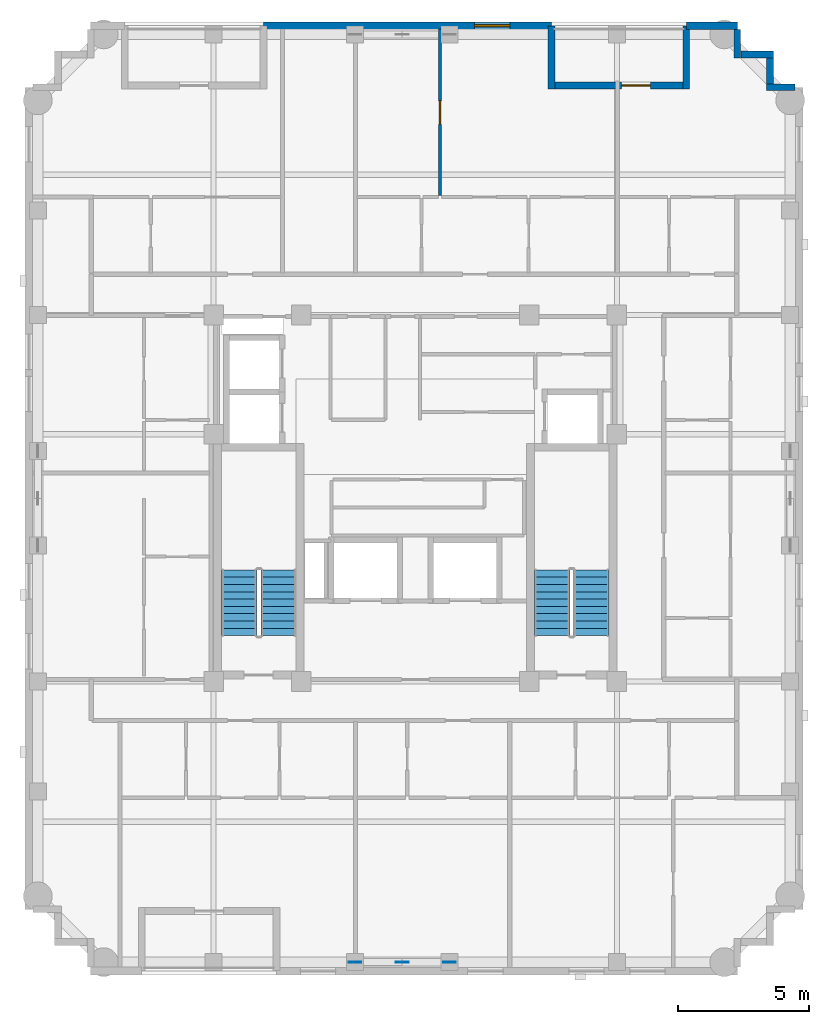
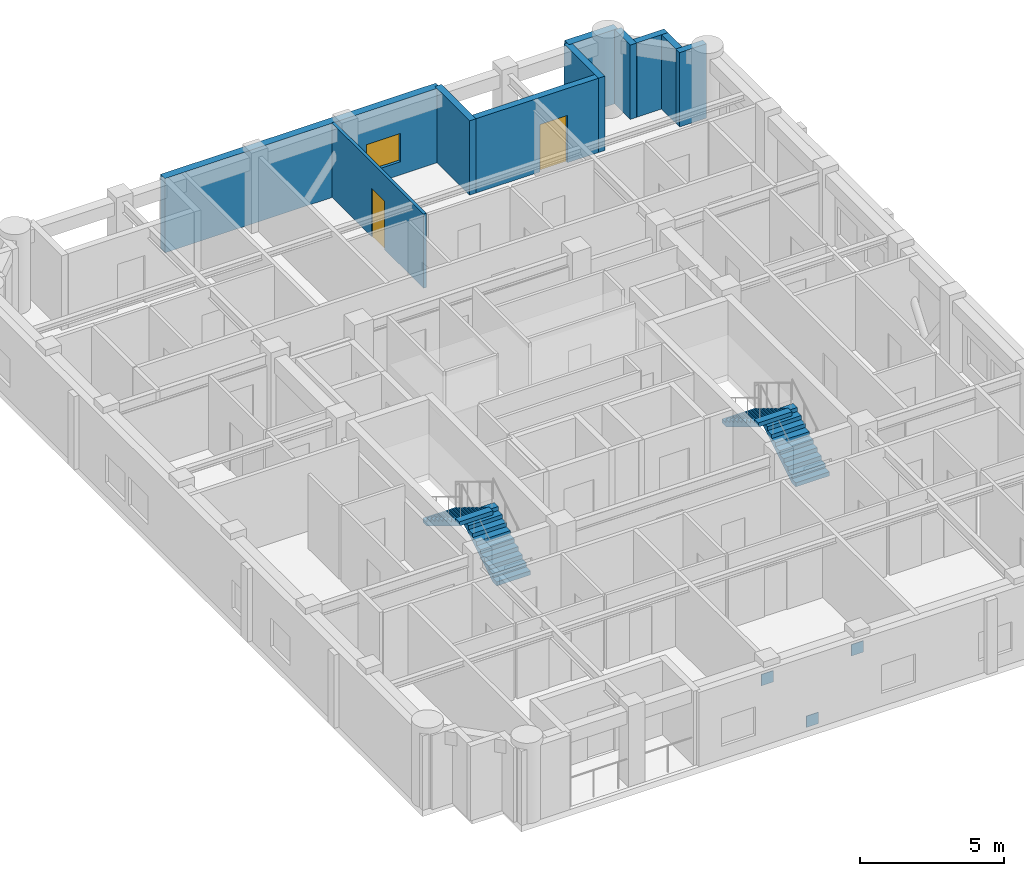
# One storey, part 7 of 10: 10 walls, 4 stair flights, 3 discrete accessories, 2 doors, 1 window, 3 openings, 2 elements without a shape of their own.
"""IFC4 building model written with IfcOpenShell, lengths in metres."""

from ifc_helpers import new_model, si_unit, derived_unit, direction, frame, frame_2d, origin, origin_2d, place, context, subcontext, project, spatial, polyline, rectangle, outline, extrude, material, layer, layer_set, type_object, element, fill, aggregate, save


model = new_model("IFC4")

# Units and contexts
model_context = context("Model", 3, precision=1e-05, world=origin(), true_north=direction((0.0, 1.0)))
body_context = subcontext(model_context, "Body", "Model", "MODEL_VIEW")
ifc_project = project(units=[si_unit("LENGTHUNIT", "METRE"), si_unit("AREAUNIT", "SQUARE_METRE"), si_unit("VOLUMEUNIT", "CUBIC_METRE"), si_unit("PLANEANGLEUNIT", "RADIAN"), si_unit("MASSUNIT", "GRAM", prefix="KILO"), derived_unit("THERMALTRANSMITTANCEUNIT", [(si_unit("MASSUNIT", "GRAM", prefix="KILO"), 1), (si_unit("TIMEUNIT", "SECOND"), -3), (si_unit("THERMODYNAMICTEMPERATUREUNIT", "KELVIN"), -1)])], contexts=[model_context])

# Site, building, storey
site_placement = place(None, origin())
site = spatial("IfcSite", under=ifc_project, at=site_placement, CompositionType="ELEMENT")
building_placement = place(site_placement, origin())
building = spatial("IfcBuilding", under=site, at=building_placement, Name="Korrvale Station Residences", CompositionType="ELEMENT")
storey_placement = place(building_placement, frame((0.0, 0.0, 237.699951171875)))
storey = spatial("IfcBuildingStorey", under=building, at=storey_placement, Name="L69", CompositionType="ELEMENT", Elevation=237.699951171875)

# Wall
ifc_material_1 = material(Name="Precast concrete C45/55", Category="concrete")
ifc_layer_1 = layer(ifc_material_1, 0.260009765625, Name="Precast concrete C45/55")
ifc_layer_set_1 = layer_set([ifc_layer_1], Name="Precast concrete C45/55")
wall_type_1 = type_object("IfcWallType", Name="WAL-EXT-LOG260", PredefinedType="SOLIDWALL", material=ifc_layer_set_1)
wall_1_placement = place(storey_placement, frame((30.699951171875, 40.0400390625, 0.0), z_axis=(0.0, 0.0, 1.0), x_axis=(0.0, -1.0, 0.0)))
element("IfcWall", 1, at=wall_1_placement, inside=storey, type_object=wall_type_1, Name="L69 Recessed Loggia Wall BAL-L69-N1-L", PredefinedType="SOLIDWALL", context=body_context, shape_type="SweptSolid", body=[
    extrude(rectangle(XDim=2.400146484375, YDim=0.260009765625, at=frame_2d((1.2001953125, 0.0))), origin(), (0.0, 0.0, 1.0), 3.14013671875),
])

# Wall, opening, door
wall_2_placement = place(storey_placement, frame((30.833984375, 37.77001953125, 0.0), z_axis=(0.0, 0.0, 1.0), x_axis=(1.0, 0.0, 0.0)))
wall_2 = element("IfcWall", 2, at=wall_2_placement, inside=storey, type_object=wall_type_1, Name="L69 Recessed Loggia Wall BAL-L69-N1-B", PredefinedType="SOLIDWALL", context=body_context, shape_type="SweptSolid", body=[
    extrude(rectangle(XDim=4.882080078125, YDim=0.260009765625, at=frame_2d((2.44091796875, 0.0))), origin(), (0.0, 0.0, 1.0), 3.14013671875),
])
opening_1_placement = place(wall_2_placement, frame((2.5458984375, 0.0, 0.0)))
opening_1 = element("IfcOpeningElement", 3, at=opening_1_placement, cuts=wall_2, Name="Opening BD-01", PredefinedType="OPENING", context=body_context, shape_type="SweptSolid", body=[
    extrude(rectangle(XDim=1.10009765625, YDim=2.0, at=frame_2d((0.550048828125, 1.0))), frame((0.0, 0.14013671875, 0.0), z_axis=(0.0, -1.0, 0.0), x_axis=(1.0, 0.0, 0.0)), (0.0, 0.0, 1.0), 0.280029296875),
])
ifc_material_2 = material(Name="Exterior thermally broken aluminium glazed balcony door", Category="aluminium")
door_type_1 = type_object("IfcDoorType", Name="DR-EXT-BAL", OperationType="NOTDEFINED", PredefinedType="DOOR", material=ifc_material_2)
door_1_placement = place(opening_1_placement, origin())
door_1 = element("IfcDoor", 4, at=door_1_placement, inside=storey, type_object=door_type_1, Name="L69 Loggia Balcony Door BAL-L69-N1", OperationType="SINGLE_SWING_RIGHT", OverallHeight=2.0, OverallWidth=1.10009765625, PredefinedType="DOOR", context=body_context, shape_type="SweptSolid", body=[
    extrude(rectangle(XDim=1.10009765625, YDim=2.0, at=frame_2d((0.550048828125, 1.0))), frame((0.0, 0.02490234375, 0.0), z_axis=(0.0, -1.0, 0.0), x_axis=(1.0, 0.0, 0.0)), (0.0, 0.0, 1.0), 0.050048828125),
])
fill(opening_1, door_1)

# Walls
wall_3_placement = place(storey_placement, frame((35.85009765625, 37.639892578125, 0.0), z_axis=(0.0, 0.0, 1.0), x_axis=(0.0, 1.0, 0.0)))
element("IfcWall", 5, at=wall_3_placement, inside=storey, type_object=wall_type_1, Name="L69 Recessed Loggia Wall BAL-L69-N1-R", PredefinedType="SOLIDWALL", context=body_context, shape_type="SweptSolid", body=[
    extrude(rectangle(XDim=2.400146484375, YDim=0.260009765625, at=frame_2d((1.2001953125, 0.0))), origin(), (0.0, 0.0, 1.0), 3.14013671875),
])
wall_4_placement = place(storey_placement, frame((37.800048828125, 39.89794921875, 0.0), z_axis=(0.0, 0.0, 1.0), x_axis=(0.0, -1.0, 0.0)))
element("IfcWall", 6, at=wall_4_placement, inside=storey, type_object=wall_type_1, Name="L69 Serrated Corner Precast Step NE-1", PredefinedType="SOLIDWALL", context=body_context, shape_type="SweptSolid", body=[
    extrude(rectangle(XDim=1.077880859375, YDim=0.260009765625, at=frame_2d((0.5390625, 0.0))), origin(), (0.0, 0.0, 1.0), 3.14013671875),
])
wall_5_placement = place(storey_placement, frame((37.931884765625, 38.949951171875, 0.0), z_axis=(0.0, 0.0, 1.0), x_axis=(1.0, 0.0, 0.0)))
element("IfcWall", 7, at=wall_5_placement, inside=storey, type_object=wall_type_1, Name="L69 Serrated Corner Precast Step NE-2", PredefinedType="SOLIDWALL", context=body_context, shape_type="SweptSolid", body=[
    extrude(rectangle(XDim=1.248046875, YDim=0.260009765625, at=frame_2d((0.6240234375, 0.0))), origin(), (0.0, 0.0, 1.0), 3.14013671875),
])
wall_6_placement = place(storey_placement, frame((39.050048828125, 38.818115234375, 0.0), z_axis=(0.0, 0.0, 1.0), x_axis=(0.0, -1.0, 0.0)))
element("IfcWall", 8, at=wall_6_placement, inside=storey, type_object=wall_type_1, Name="L69 Serrated Corner Precast Step NE-3", PredefinedType="SOLIDWALL", context=body_context, shape_type="SweptSolid", body=[
    extrude(rectangle(XDim=0.986083984375, YDim=0.260009765625, at=frame_2d((0.4931640625, 0.0))), origin(), (0.0, 0.0, 1.0), 3.14013671875),
])
wall_7_placement = place(storey_placement, frame((38.919921875, 37.699951171875, 0.0), z_axis=(0.0, 0.0, 1.0), x_axis=(1.0, 0.0, 0.0)))
element("IfcWall", 9, at=wall_7_placement, inside=storey, type_object=wall_type_1, Name="L69 Serrated Corner Precast Step NE-4", PredefinedType="SOLIDWALL", context=body_context, shape_type="SweptSolid", body=[
    extrude(rectangle(XDim=1.078125, YDim=0.260009765625, at=frame_2d((0.5390625, 0.0))), origin(), (0.0, 0.0, 1.0), 3.14013671875),
])

# Wall, opening, window
ifc_layer_2 = layer(ifc_material_1, 0.300048828125, Name="Precast concrete C45/55")
ifc_layer_set_2 = layer_set([ifc_layer_2], Name="Precast concrete C45/55")
wall_type_2 = type_object("IfcWallType", Name="WAL-EXT-PC300", PredefinedType="SOLIDWALL", material=ifc_layer_set_2)
wall_8_placement = place(storey_placement, frame((19.699951171875, 40.050048828125, 0.0), z_axis=(0.0, 0.0, 1.0), x_axis=(1.0, 0.0, 0.0)))
wall_8 = element("IfcWall", 10, at=wall_8_placement, inside=storey, type_object=wall_type_2, Name="L69 North Exterior Precast Wall 2", PredefinedType="SOLIDWALL", context=body_context, shape_type="SweptSolid", body=[
    extrude(rectangle(XDim=11.0, YDim=0.300048828125, at=frame_2d((5.5, 0.0))), origin(), (0.0, 0.0, 1.0), 3.14013671875),
])
opening_2_placement = place(wall_8_placement, frame((8.06396484375, 0.0, 0.550048828125)))
opening_2 = element("IfcOpeningElement", 11, at=opening_2_placement, cuts=wall_8, Name="Opening W-10", PredefinedType="OPENING", context=body_context, shape_type="SweptSolid", body=[
    extrude(rectangle(XDim=1.35009765625, YDim=1.199951171875, at=frame_2d((0.675048828125, 0.60009765625))), frame((0.0, 0.16015625, 0.0), z_axis=(0.0, -1.0, 0.0), x_axis=(1.0, 0.0, 0.0)), (0.0, 0.0, 1.0), 0.320068359375),
])
ifc_material_3 = material(Name="Thermally broken aluminium frame with triple low-e glazing", Category="aluminium")
window_type = type_object("IfcWindowType", Name="WIN-W10", PartitioningType="SINGLE_PANEL", PredefinedType="WINDOW", material=ifc_material_3)
window_placement = place(opening_2_placement, origin())
window = element("IfcWindow", 12, at=window_placement, inside=storey, type_object=window_type, Name="L69 Punched Window 07", OverallHeight=1.199951171875, OverallWidth=1.35009765625, PartitioningType="SINGLE_PANEL", PredefinedType="WINDOW", context=body_context, shape_type="SweptSolid", body=[
    extrude(rectangle(XDim=1.35009765625, YDim=1.199951171875, at=frame_2d((0.675048828125, 0.60009765625))), frame((0.0, 0.030029296875, 0.0), z_axis=(0.0, -1.0, 0.0), x_axis=(1.0, 0.0, 0.0)), (0.0, 0.0, 1.0), 0.06005859375),
])
fill(opening_2, window)

# Wall
wall_9_placement = place(storey_placement, frame((35.85009765625, 40.050048828125, 0.0), z_axis=(0.0, 0.0, 1.0), x_axis=(1.0, 0.0, 0.0)))
element("IfcWall", 13, at=wall_9_placement, inside=storey, type_object=wall_type_2, Name="L69 North Exterior Precast Wall 3", PredefinedType="SOLIDWALL", context=body_context, shape_type="SweptSolid", body=[
    extrude(rectangle(XDim=1.949951171875, YDim=0.300048828125, at=frame_2d((0.97509765625, 0.0))), origin(), (0.0, 0.0, 1.0), 3.14013671875),
])

# Wall, opening, door
ifc_material_4 = material(Name="Acoustic steel-stud gypsum board partition", Category="steel")
ifc_layer_3 = layer(ifc_material_4, 0.1201171875, Name="Acoustic steel-stud gypsum board partition")
ifc_layer_set_3 = layer_set([ifc_layer_3], Name="Acoustic steel-stud gypsum board partition")
wall_type_3 = type_object("IfcWallType", Name="WAL-PART-125", PredefinedType="PARTITIONING", material=ifc_layer_set_3)
wall_10_placement = place(storey_placement, frame((26.43994140625, 33.570068359375, 0.0), z_axis=(0.0, 0.0, 1.0), x_axis=(0.0, 1.0, 0.0)))
wall_10 = element("IfcWall", 14, at=wall_10_placement, inside=storey, type_object=wall_type_3, Name="L69 Suite Partition U05-V34", PredefinedType="PARTITIONING", context=body_context, shape_type="SweptSolid", body=[
    extrude(rectangle(XDim=6.349853515625, YDim=0.1201171875, at=frame_2d((3.1748046875, 0.0))), origin(), (0.0, 0.0, 1.0), 3.14013671875),
])
opening_3_placement = place(wall_10_placement, frame((2.7099609375, 0.0, 0.0)))
opening_3 = element("IfcOpeningElement", 15, at=opening_3_placement, cuts=wall_10, Name="Opening DI-900", PredefinedType="OPENING", context=body_context, shape_type="SweptSolid", body=[
    extrude(rectangle(XDim=0.89990234375, YDim=2.050048828125, at=frame_2d((0.449951171875, 1.02490234375))), frame((0.0, 0.070068359375, 0.0), z_axis=(0.0, -1.0, 0.0), x_axis=(1.0, 0.0, 0.0)), (0.0, 0.0, 1.0), 0.14013671875),
])
ifc_material_5 = material(Name="Painted solid-core timber interior room door", Category="wood")
door_type_2 = type_object("IfcDoorType", Name="DR-INT-900", OperationType="NOTDEFINED", PredefinedType="DOOR", material=ifc_material_5)
door_2_placement = place(opening_3_placement, origin())
door_2 = element("IfcDoor", 16, at=door_2_placement, inside=storey, type_object=door_type_2, Name="L69 Studio Apartment L69-U05 Walk-In Wardrobe Door", OperationType="SINGLE_SWING_RIGHT", OverallHeight=2.050048828125, OverallWidth=0.89990234375, PredefinedType="DOOR", context=body_context, shape_type="SweptSolid", body=[
    extrude(rectangle(XDim=0.89990234375, YDim=2.050048828125, at=frame_2d((0.449951171875, 1.02490234375))), frame((0.0, 0.02490234375, 0.0), z_axis=(0.0, -1.0, 0.0), x_axis=(1.0, 0.0, 0.0)), (0.0, 0.0, 1.0), 0.050048828125),
])
fill(opening_3, door_2)

# Stair, stair flights
ifc_material_6 = material(Name="Concrete C50/60", Category="concrete")
stair_type = type_object("IfcStairType", Name="STR-DL-1350-20R-1700", PredefinedType="HALF_TURN_STAIR", material=ifc_material_6)
stair_1_placement = place(storey_placement, origin())
stair_1 = element("IfcStair", 17, at=stair_1_placement, inside=storey, type_object=stair_type, Name="L69 Exit Stair 1", PredefinedType="HALF_TURN_STAIR")
stair_flight_type = type_object("IfcStairFlightType", Name="FLT-DL-1350-20R-1700", PredefinedType="STRAIGHT", material=ifc_material_6)
stair_flight_1_placement = place(storey_placement, frame((20.27490234375, 16.75, 0.0), z_axis=(0.0, 0.0, 1.0), x_axis=(0.0, 1.0, 0.0)))
stair_flight_1 = element("IfcStairFlight", 18, at=stair_flight_1_placement, type_object=stair_flight_type, Name="ST-1 flight 1", NumberOfRisers=10, NumberOfTreads=9, PredefinedType="STRAIGHT", RiserHeight=0.17, TreadLength=0.28, context=body_context, shape_type="SweptSolid", body=[
    extrude(outline(polyline([(0.0, 0.0), (0.0, 0.169921875), (0.280029296875, 0.169921875), (0.280029296875, 0.340087890625), (0.56005859375, 0.340087890625), (0.56005859375, 0.510009765625), (0.840087890625, 0.510009765625), (0.840087890625, 0.679931640625), (1.1201171875, 0.679931640625), (1.1201171875, 0.85009765625), (1.39990234375, 0.85009765625), (1.39990234375, 1.02001953125), (1.679931640625, 1.02001953125), (1.679931640625, 1.18994140625), (1.9599609375, 1.18994140625), (1.9599609375, 1.360107421875), (2.239990234375, 1.360107421875), (2.239990234375, 1.530029296875), (2.52001953125, 1.530029296875), (2.52001953125, 1.699951171875), (2.52001953125, 1.354736328125), (0.288818359375, 0.0), (0.0, 0.0)])), frame((0.0, 0.675048828125, 0.0), z_axis=(0.0, -1.0, 0.0), x_axis=(1.0, 0.0, 0.0)), (0.0, 0.0, 1.0), 1.35009765625),
])
stair_flight_2_placement = place(storey_placement, frame((18.77490234375, 19.27001953125, 1.699951171875), z_axis=(0.0, 0.0, 1.0), x_axis=(0.0, -1.0, 0.0)))
stair_flight_2 = element("IfcStairFlight", 19, at=stair_flight_2_placement, type_object=stair_flight_type, Name="ST-1 flight 2", NumberOfRisers=10, NumberOfTreads=9, PredefinedType="STRAIGHT", RiserHeight=0.17, TreadLength=0.28, context=body_context, shape_type="SweptSolid", body=[
    extrude(outline(polyline([(0.0, 0.0), (0.0, 0.169921875), (0.280029296875, 0.169921875), (0.280029296875, 0.340087890625), (0.56005859375, 0.340087890625), (0.56005859375, 0.510009765625), (0.840087890625, 0.510009765625), (0.840087890625, 0.679931640625), (1.1201171875, 0.679931640625), (1.1201171875, 0.85009765625), (1.39990234375, 0.85009765625), (1.39990234375, 1.02001953125), (1.679931640625, 1.02001953125), (1.679931640625, 1.18994140625), (1.9599609375, 1.18994140625), (1.9599609375, 1.360107421875), (2.239990234375, 1.360107421875), (2.239990234375, 1.530029296875), (2.52001953125, 1.530029296875), (2.52001953125, 1.699951171875), (2.52001953125, 1.354736328125), (0.288818359375, 0.0), (0.0, 0.0)])), frame((0.0, 0.675048828125, 0.0), z_axis=(0.0, -1.0, 0.0), x_axis=(1.0, 0.0, 0.0)), (0.0, 0.0, 1.0), 1.35009765625),
])
aggregate(stair_1, [stair_flight_1, stair_flight_2])

stair_2_placement = place(storey_placement, origin())
stair_2 = element("IfcStair", 20, at=stair_2_placement, inside=storey, type_object=stair_type, Name="L69 Exit Stair 2", PredefinedType="HALF_TURN_STAIR")
stair_flight_3_placement = place(storey_placement, frame((32.22509765625, 16.75, 0.0), z_axis=(0.0, 0.0, 1.0), x_axis=(0.0, 1.0, 0.0)))
stair_flight_3 = element("IfcStairFlight", 21, at=stair_flight_3_placement, type_object=stair_flight_type, Name="ST-2 flight 1", NumberOfRisers=10, NumberOfTreads=9, PredefinedType="STRAIGHT", RiserHeight=0.17, TreadLength=0.28, context=body_context, shape_type="SweptSolid", body=[
    extrude(outline(polyline([(0.0, 0.0), (0.0, 0.169921875), (0.280029296875, 0.169921875), (0.280029296875, 0.340087890625), (0.56005859375, 0.340087890625), (0.56005859375, 0.510009765625), (0.840087890625, 0.510009765625), (0.840087890625, 0.679931640625), (1.1201171875, 0.679931640625), (1.1201171875, 0.85009765625), (1.39990234375, 0.85009765625), (1.39990234375, 1.02001953125), (1.679931640625, 1.02001953125), (1.679931640625, 1.18994140625), (1.9599609375, 1.18994140625), (1.9599609375, 1.360107421875), (2.239990234375, 1.360107421875), (2.239990234375, 1.530029296875), (2.52001953125, 1.530029296875), (2.52001953125, 1.699951171875), (2.52001953125, 1.354736328125), (0.288818359375, 0.0), (0.0, 0.0)])), frame((0.0, 0.675048828125, 0.0), z_axis=(0.0, -1.0, 0.0), x_axis=(1.0, 0.0, 0.0)), (0.0, 0.0, 1.0), 1.35009765625),
])
stair_flight_4_placement = place(storey_placement, frame((30.72509765625, 19.27001953125, 1.699951171875), z_axis=(0.0, 0.0, 1.0), x_axis=(0.0, -1.0, 0.0)))
stair_flight_4 = element("IfcStairFlight", 22, at=stair_flight_4_placement, type_object=stair_flight_type, Name="ST-2 flight 2", NumberOfRisers=10, NumberOfTreads=9, PredefinedType="STRAIGHT", RiserHeight=0.17, TreadLength=0.28, context=body_context, shape_type="SweptSolid", body=[
    extrude(outline(polyline([(0.0, 0.0), (0.0, 0.169921875), (0.280029296875, 0.169921875), (0.280029296875, 0.340087890625), (0.56005859375, 0.340087890625), (0.56005859375, 0.510009765625), (0.840087890625, 0.510009765625), (0.840087890625, 0.679931640625), (1.1201171875, 0.679931640625), (1.1201171875, 0.85009765625), (1.39990234375, 0.85009765625), (1.39990234375, 1.02001953125), (1.679931640625, 1.02001953125), (1.679931640625, 1.18994140625), (1.9599609375, 1.18994140625), (1.9599609375, 1.360107421875), (2.239990234375, 1.360107421875), (2.239990234375, 1.530029296875), (2.52001953125, 1.530029296875), (2.52001953125, 1.699951171875), (2.52001953125, 1.354736328125), (0.288818359375, 0.0), (0.0, 0.0)])), frame((0.0, 0.675048828125, 0.0), z_axis=(0.0, -1.0, 0.0), x_axis=(1.0, 0.0, 0.0)), (0.0, 0.0, 1.0), 1.35009765625),
])
aggregate(stair_2, [stair_flight_3, stair_flight_4])

# Discrete accessories
ifc_material_7 = material(Name="Steel S355", Category="steel")
ifc_layer_4 = layer(ifc_material_7, 0.02490234375, Name="Steel S355")
ifc_layer_set_4 = layer_set([ifc_layer_4], Name="Steel S355")
discrete_accessory_type = type_object("IfcDiscreteAccessoryType", Name="ACC-GUSSET-25", PredefinedType="BRACKET", material=ifc_layer_set_4)
for number, where, z_axis, x_axis, name in (
    (23, (25.0, 4.280029296875, -0.219970703125), (0.0, 0.0, 1.0), (1.0, 0.0, 0.0), "L69 S Brace End Gusset Connection M"),
    (24, (23.199951171875, 4.280029296875, 2.170166015625), (0.0, 0.0, 1.0), (1.0, 0.0, 0.0), "L69 S Brace End Gusset Connection A"),
    (25, (26.800048828125, 4.280029296875, 2.170166015625), (0.0, 0.0, 1.0), (1.0, 0.0, 0.0), "L69 S Brace End Gusset Connection B"),
):
    element("IfcDiscreteAccessory", number, at=place(storey_placement, frame(where, z_axis=z_axis, x_axis=x_axis)), inside=storey, type_object=discrete_accessory_type, Name=name, PredefinedType="BRACKET", context=body_context, shape_type="SweptSolid", body=[
        extrude(rectangle(XDim=0.47998046875, YDim=0.02490234375, at=origin_2d()), origin(), (0.0, 0.0, 1.0), 0.47998046875),
    ])

save(model, "model.ifc")
